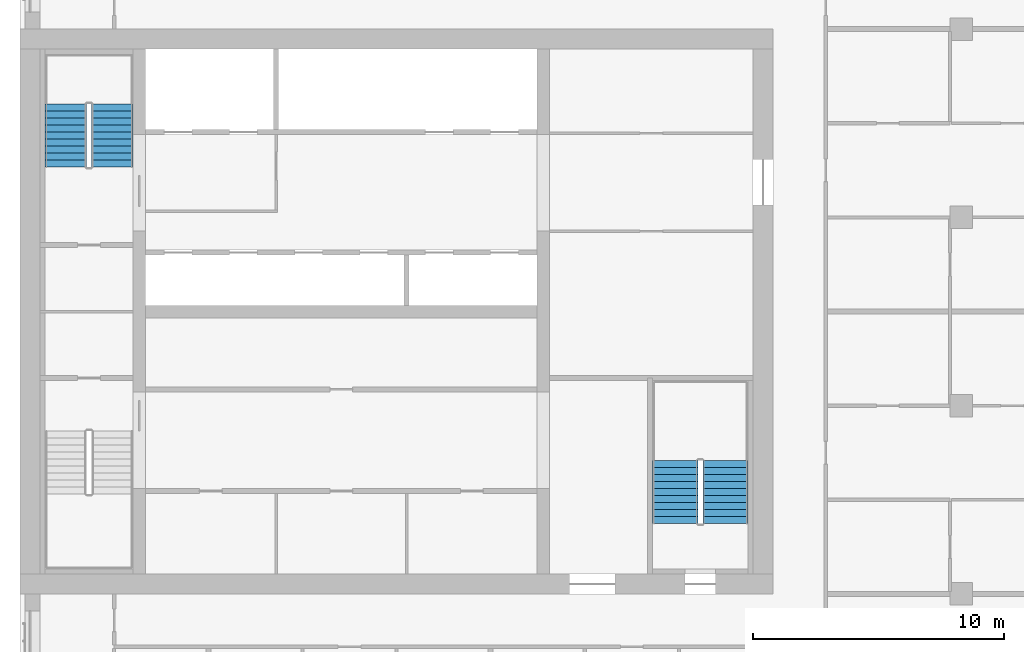
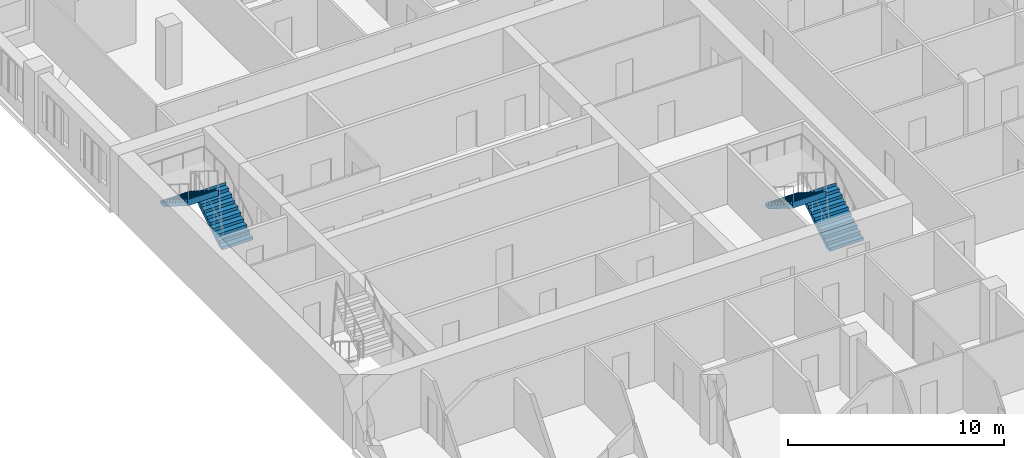
# One storey, part 13 of 14: 4 stair flights, 2 elements without a shape of their own.
"""IFC4 building model written with IfcOpenShell, lengths in metres."""

import ifcopenshell
import ifcopenshell.guid

model = None  # the IFC model being written
_history = None  # IfcOwnerHistory: only IFC2X3 demands one
_inside = {}  # id of a spatial element -> (the spatial element, [elements in it])
_under = {}  # id of a project, library or spatial element -> (it, [spatial elements below it])
_declared = {}  # id of a project -> (the project, [libraries it declares])
_typed = {}  # id of a type object -> (the type object, [elements of that type])
_made_of = {}  # id of a material, layer set ... -> (it, [elements and type objects made of it])


def new_model(schema):
    """Start an empty IFC model of exactly this schema.

    Asked for "IFC4X3", IfcOpenShell would pick the latest addendum, in which some entities
    have other attributes; the version numbers below select the first issue.
    IFC2X3 requires an IfcOwnerHistory on every rooted entity: one is made here for all.
    """
    global model, _history
    if schema == "IFC4X3":
        model = ifcopenshell.file(schema_version=(4, 3, 0, 0))
    else:
        model = ifcopenshell.file(schema=schema)
    _inside.clear()
    _under.clear()
    _declared.clear()
    _typed.clear()
    _made_of.clear()
    _history = None
    if model.schema == "IFC2X3":
        org = make("IfcOrganization", Name="unknown")
        user = make(
            "IfcPersonAndOrganization",
            ThePerson=make("IfcPerson", FamilyName="unknown"),
            TheOrganization=org,
        )
        app = make(
            "IfcApplication",
            ApplicationDeveloper=org,
            Version="unknown",
            ApplicationFullName="unknown",
            ApplicationIdentifier="unknown",
        )
        _history = make(
            "IfcOwnerHistory",
            OwningUser=user,
            OwningApplication=app,
            ChangeAction="ADDED",
            CreationDate=0,
        )
    return model


def make(cls, **values):
    """One entity of the class cls with the attributes given. An attribute that is None is left unset."""
    return model.create_entity(
        cls, **{name: value for name, value in values.items() if value is not None}
    )


def rooted(cls, **values):
    """An entity with a GlobalId (a new one), such as an element, a storey or a relation."""
    return make(cls, GlobalId=ifcopenshell.guid.new(), OwnerHistory=_history, **values)


def si_unit(unit_type, name, prefix=None):
    """IfcSIUnit, for example si_unit("LENGTHUNIT", "METRE", prefix="MILLI")."""
    return make("IfcSIUnit", UnitType=unit_type, Prefix=prefix, Name=name)


def assignment(units):
    """IfcUnitAssignment: the units of a project."""
    return None if units is None else make("IfcUnitAssignment", Units=units)


def point(xyz):
    """IfcCartesianPoint."""
    return None if xyz is None else make("IfcCartesianPoint", Coordinates=xyz)


def direction(xyz):
    """IfcDirection."""
    return None if xyz is None else make("IfcDirection", DirectionRatios=xyz)


def frame(location, z_axis=None, x_axis=None):
    """IfcAxis2Placement3D, a coordinate frame: its origin and axes. An axis left out is left unset."""
    return make(
        "IfcAxis2Placement3D",
        Location=point(location),
        Axis=direction(z_axis),
        RefDirection=direction(x_axis),
    )


def origin():
    """The frame at (0, 0, 0) with its axes left unset."""
    return frame((0.0, 0.0, 0.0))


def place(relative_to, where):
    """IfcLocalPlacement: puts the frame where relative to a parent placement (None: the world)."""
    return make(
        "IfcLocalPlacement", PlacementRelTo=relative_to, RelativePlacement=where
    )


def context(
    kind, dimensions, precision=None, world=None, true_north=None, identifier=None
):
    """IfcGeometricRepresentationContext, for example the 3D "Model" context."""
    return make(
        "IfcGeometricRepresentationContext",
        ContextIdentifier=identifier,
        ContextType=kind,
        CoordinateSpaceDimension=dimensions,
        Precision=precision,
        WorldCoordinateSystem=world,
        TrueNorth=true_north,
    )


def subcontext(parent, identifier, kind, view, scale=None):
    """IfcGeometricRepresentationSubContext, for example "Body" below "Model"."""
    return make(
        "IfcGeometricRepresentationSubContext",
        ContextIdentifier=identifier,
        ContextType=kind,
        ParentContext=parent,
        TargetScale=scale,
        TargetView=view,
    )


def project(units=None, contexts=None):
    """IfcProject with its units and contexts."""
    return rooted(
        "IfcProject",
        Name="project",
        RepresentationContexts=contexts,
        UnitsInContext=assignment(units),
    )


def spatial(cls, under=None, at=None, **own):
    """A site, building, storey or space (cls), placed at a placement, below another one or the project."""
    s = rooted(cls, ObjectPlacement=at, **own)
    if under is not None:
        _under.setdefault(under.id(), (under, []))[1].append(s)
    return s


def polyline(points):
    """IfcPolyline through the points."""
    return make("IfcPolyline", Points=[point(p) for p in points])


def outline(outer, holes=None, kind="AREA"):
    """IfcArbitraryClosedProfileDef: a profile drawn as a closed curve; with holes, ...WithVoids."""
    if holes is None:
        return make("IfcArbitraryClosedProfileDef", ProfileType=kind, OuterCurve=outer)
    return make(
        "IfcArbitraryProfileDefWithVoids",
        ProfileType=kind,
        OuterCurve=outer,
        InnerCurves=holes,
    )


def extrude(swept, where, along, depth):
    """IfcExtrudedAreaSolid: the profile swept, set in the frame where, extruded along a direction by depth."""
    return make(
        "IfcExtrudedAreaSolid",
        SweptArea=swept,
        Position=where,
        ExtrudedDirection=direction(along),
        Depth=depth,
    )


def shape(context_of_items, identifier, shape_type, items):
    """IfcShapeRepresentation: the items that make up one representation, for example the "Body"."""
    return make(
        "IfcShapeRepresentation",
        ContextOfItems=context_of_items,
        RepresentationIdentifier=identifier,
        RepresentationType=shape_type,
        Items=items,
    )


def material(Name=None, Category=None):
    """IfcMaterial."""
    return make("IfcMaterial", Name=Name, Category=Category)


def made_of(thing, what):
    """Note that an element or type object is made of a material, layer set ...; save() writes the relation."""
    if what is not None:
        _made_of.setdefault(what.id(), (what, []))[1].append(thing)
    return thing


def type_object(cls, material=None, **own):
    """A type object (cls), such as IfcWallType, which elements share."""
    return made_of(rooted(cls, **own), material)


def element(
    cls,
    number,
    at=None,
    inside=None,
    cuts=None,
    type_object=None,
    material=None,
    context=None,
    identifier="Body",
    shape_type=None,
    held_by="IfcProductDefinitionShape",
    body=None,
    shapes=None,
    **own,
):
    """One element of the class cls, such as IfcWall. Its Tag is "e" and its number.

    at: its placement. inside: the storey or other place that contains it. cuts: it is an
    opening in that element (IfcRelVoidsElement). A single representation is given by context,
    identifier, shape_type and body (its items); several are given by shapes. held_by: the class
    of the entity that holds the representations. save() writes the other relations.
    """
    e = rooted(cls, Tag="e%d" % number, ObjectPlacement=at, **own)
    if body is not None:
        shapes = [shape(context, identifier, shape_type, body)]
    if shapes is not None:
        e.Representation = make(held_by, Representations=shapes)
    if inside is not None:
        _inside.setdefault(inside.id(), (inside, []))[1].append(e)
    if cuts is not None:
        rooted(
            "IfcRelVoidsElement", RelatingBuildingElement=cuts, RelatedOpeningElement=e
        )
    if type_object is not None:
        _typed.setdefault(type_object.id(), (type_object, []))[1].append(e)
    return made_of(e, material)


def aggregate(whole, parts):
    """IfcRelAggregates: a whole, such as a stair, and the parts it consists of."""
    return rooted("IfcRelAggregates", RelatingObject=whole, RelatedObjects=parts)


def save(model, path):
    """Write the relations noted so far, then the file.

    IfcRelAggregates (storeys below a building ...), IfcRelContainedInSpatialStructure (elements
    in a storey), IfcRelDefinesByType, IfcRelAssociatesMaterial and IfcRelDeclares: one each for
    every whole, place, type object, material and project.
    """
    for whole, parts in _under.values():
        aggregate(whole, parts)
    for where, things in _inside.values():
        rooted(
            "IfcRelContainedInSpatialStructure",
            RelatedElements=things,
            RelatingStructure=where,
        )
    for kind, things in _typed.values():
        rooted("IfcRelDefinesByType", RelatedObjects=things, RelatingType=kind)
    for what, things in _made_of.values():
        rooted("IfcRelAssociatesMaterial", RelatedObjects=things, RelatingMaterial=what)
    for by, libraries in _declared.values():
        rooted("IfcRelDeclares", RelatingContext=by, RelatedDefinitions=libraries)
    model.write(path)


model = new_model("IFC4")

# Units and contexts
model_context = context("Model", 3, precision=1e-05, world=origin(), true_north=direction((0.0, 1.0)))
body_context = subcontext(model_context, "Body", "Model", "MODEL_VIEW")
ifc_project = project(units=[si_unit("LENGTHUNIT", "METRE"), si_unit("AREAUNIT", "SQUARE_METRE"), si_unit("VOLUMEUNIT", "CUBIC_METRE"), si_unit("PLANEANGLEUNIT", "RADIAN"), si_unit("MASSUNIT", "GRAM", prefix="KILO")], contexts=[model_context])

# Site, building, storey
site_placement = place(None, origin())
site = spatial("IfcSite", under=ifc_project, at=site_placement, CompositionType="ELEMENT")
building_placement = place(site_placement, origin())
building = spatial("IfcBuilding", under=site, at=building_placement, Name="Tamorin Gate", CompositionType="ELEMENT")
storey_placement = place(building_placement, frame((0.0, 0.0, 207.199951171875)))
storey = spatial("IfcBuildingStorey", under=building, at=storey_placement, Name="L51", CompositionType="ELEMENT", Elevation=207.199951171875)

# Stair, stair flights
ifc_material = material(Name="Concrete C40/50", Category="concrete")
stair_type = type_object("IfcStairType", Name="Exit stair", PredefinedType="HALF_TURN_STAIR", material=ifc_material)
stair_1_placement = place(storey_placement, origin())
stair_1 = element("IfcStair", 1, at=stair_1_placement, inside=storey, type_object=stair_type, Name="L51 stair ST2", PredefinedType="HALF_TURN_STAIR")
stair_flight_type = type_object("IfcStairFlightType", Name="Exit stair flight", PredefinedType="STRAIGHT", material=ifc_material)
stair_flight_1_placement = place(storey_placement, frame((33.675048828125, 77.0, 0.0), z_axis=(0.0, 0.0, 1.0), x_axis=(0.0, 1.0, 0.0)))
stair_flight_1 = element("IfcStairFlight", 2, at=stair_flight_1_placement, type_object=stair_flight_type, Name="ST2 flight 1", NumberOfRisers=10, NumberOfTreads=9, PredefinedType="STRAIGHT", RiserHeight=0.175, TreadLength=0.28, context=body_context, shape_type="SweptSolid", body=[
    extrude(outline(polyline([(-0.00048828125, 0.0), (-0.00048828125, 0.001708984375), (-0.00048828125, 0.00341796875), (-0.00048828125, 0.005126953125), (-0.00048828125, 0.0068359375), (-0.00048828125, 0.008544921875), (-0.00048828125, 0.010498046875), (-0.00048828125, 0.01220703125), (-0.00048828125, 0.013916015625), (-0.00048828125, 0.015625), (-0.00048828125, 0.017333984375), (-0.00048828125, 0.01904296875), (-0.00048828125, 0.020751953125), (-0.00048828125, 0.0224609375), (-0.00048828125, 0.024169921875), (-0.00048828125, 0.02587890625), (-0.00048828125, 0.02783203125), (-0.00048828125, 0.029541015625), (-0.00048828125, 0.03125), (-0.00048828125, 0.032958984375), (-0.00048828125, 0.03466796875), (-0.00048828125, 0.036376953125), (-0.00048828125, 0.0380859375), (-0.00048828125, 0.039794921875), (-0.00048828125, 0.04150390625), (-0.00048828125, 0.043212890625), (-0.00048828125, 0.045166015625), (-0.00048828125, 0.046875), (-0.00048828125, 0.048583984375), (-0.00048828125, 0.05029296875), (-0.00048828125, 0.052001953125), (-0.00048828125, 0.0537109375), (-0.00048828125, 0.055419921875), (-0.00048828125, 0.05712890625), (-0.00048828125, 0.058837890625), (-0.00048828125, 0.060546875), (-0.00048828125, 0.062255859375), (-0.00048828125, 0.064208984375), (-0.00048828125, 0.06591796875), (-0.00048828125, 0.067626953125), (-0.00048828125, 0.0693359375), (-0.00048828125, 0.071044921875), (-0.00048828125, 0.07275390625), (-0.00048828125, 0.074462890625), (-0.00048828125, 0.076171875), (-0.00048828125, 0.077880859375), (-0.00048828125, 0.07958984375), (-0.00048828125, 0.08154296875), (-0.00048828125, 0.083251953125), (-0.00048828125, 0.0849609375), (-0.00048828125, 0.086669921875), (-0.00048828125, 0.08837890625), (-0.00048828125, 0.090087890625), (-0.00048828125, 0.091796875), (-0.00048828125, 0.093505859375), (-0.00048828125, 0.09521484375), (-0.00048828125, 0.096923828125), (-0.00048828125, 0.098876953125), (-0.00048828125, 0.1005859375), (-0.00048828125, 0.102294921875), (-0.00048828125, 0.10400390625), (-0.00048828125, 0.105712890625), (-0.00048828125, 0.107421875), (-0.00048828125, 0.109130859375), (-0.00048828125, 0.11083984375), (-0.00048828125, 0.112548828125), (-0.00048828125, 0.1142578125), (-0.00048828125, 0.1162109375), (-0.00048828125, 0.117919921875), (-0.00048828125, 0.11962890625), (-0.00048828125, 0.121337890625), (-0.00048828125, 0.123046875), (-0.00048828125, 0.124755859375), (-0.00048828125, 0.12646484375), (-0.00048828125, 0.128173828125), (-0.00048828125, 0.1298828125), (-0.00048828125, 0.131591796875), (-0.00048828125, 0.13330078125), (-0.00048828125, 0.13525390625), (-0.00048828125, 0.136962890625), (-0.00048828125, 0.138671875), (-0.00048828125, 0.140380859375), (-0.00048828125, 0.14208984375), (-0.00048828125, 0.143798828125), (-0.00048828125, 0.1455078125), (-0.00048828125, 0.147216796875), (-0.00048828125, 0.14892578125), (-0.00048828125, 0.150634765625), (-0.00048828125, 0.152587890625), (-0.00048828125, 0.154296875), (-0.00048828125, 0.156005859375), (-0.00048828125, 0.15771484375), (-0.00048828125, 0.159423828125), (-0.00048828125, 0.1611328125), (-0.00048828125, 0.162841796875), (-0.00048828125, 0.16455078125), (-0.00048828125, 0.166259765625), (-0.00048828125, 0.16796875), (-0.00048828125, 0.169921875), (-0.00048828125, 0.171630859375), (-0.00048828125, 0.17333984375), (-0.00048828125, 0.175048828125), (0.280029296875, 0.175048828125), (0.280029296875, 0.35009765625), (0.56005859375, 0.35009765625), (0.56005859375, 0.52490234375), (0.840087890625, 0.52490234375), (0.840087890625, 0.699951171875), (1.1201171875, 0.699951171875), (1.1201171875, 0.875), (1.39990234375, 0.875), (1.39990234375, 1.050048828125), (1.679931640625, 1.050048828125), (1.679931640625, 1.22509765625), (1.9599609375, 1.22509765625), (1.9599609375, 1.39990234375), (2.239990234375, 1.39990234375), (2.239990234375, 1.574951171875), (2.52001953125, 1.574951171875), (2.52001953125, 1.75), (2.5205078125, 1.75), (2.5205078125, 1.74658203125), (2.5205078125, 1.742919921875), (2.5205078125, 1.739501953125), (2.5205078125, 1.736083984375), (2.5205078125, 1.732666015625), (2.5205078125, 1.72900390625), (2.5205078125, 1.7255859375), (2.5205078125, 1.72216796875), (2.5205078125, 1.71875), (2.5205078125, 1.715087890625), (2.5205078125, 1.711669921875), (2.5205078125, 1.708251953125), (2.5205078125, 1.704833984375), (2.5205078125, 1.701171875), (2.5205078125, 1.69775390625), (2.5205078125, 1.6943359375), (2.5205078125, 1.690673828125), (2.5205078125, 1.687255859375), (2.5205078125, 1.683837890625), (2.5205078125, 1.680419921875), (2.5205078125, 1.6767578125), (2.5205078125, 1.67333984375), (2.5205078125, 1.669921875), (2.5205078125, 1.66650390625), (2.5205078125, 1.662841796875), (2.5205078125, 1.659423828125), (2.5205078125, 1.656005859375), (2.5205078125, 1.652587890625), (2.5205078125, 1.64892578125), (2.5205078125, 1.6455078125), (2.5205078125, 1.64208984375), (2.5205078125, 1.638427734375), (2.5205078125, 1.635009765625), (2.5205078125, 1.631591796875), (2.5205078125, 1.628173828125), (2.5205078125, 1.62451171875), (2.5205078125, 1.62109375), (2.5205078125, 1.61767578125), (2.5205078125, 1.6142578125), (2.5205078125, 1.610595703125), (2.5205078125, 1.607177734375), (2.5205078125, 1.603759765625), (2.5205078125, 1.600341796875), (2.5205078125, 1.5966796875), (2.5205078125, 1.59326171875), (2.5205078125, 1.58984375), (2.5205078125, 1.58642578125), (2.5205078125, 1.582763671875), (2.5205078125, 1.579345703125), (2.5205078125, 1.575927734375), (2.5205078125, 1.572265625), (2.5205078125, 1.56884765625), (2.5205078125, 1.5654296875), (2.5205078125, 1.56201171875), (2.5205078125, 1.558349609375), (2.5205078125, 1.554931640625), (2.5205078125, 1.551513671875), (2.5205078125, 1.548095703125), (2.5205078125, 1.54443359375), (2.5205078125, 1.541015625), (2.5205078125, 1.53759765625), (2.5205078125, 1.5341796875), (2.5205078125, 1.530517578125), (2.5205078125, 1.527099609375), (2.5205078125, 1.523681640625), (2.5205078125, 1.52001953125), (2.5205078125, 1.5166015625), (2.5205078125, 1.51318359375), (2.5205078125, 1.509765625), (2.5205078125, 1.506103515625), (2.5205078125, 1.502685546875), (2.5205078125, 1.499267578125), (2.5205078125, 1.495849609375), (2.5205078125, 1.4921875), (2.5205078125, 1.48876953125), (2.5205078125, 1.4853515625), (2.5205078125, 1.48193359375), (2.5205078125, 1.478271484375), (2.5205078125, 1.474853515625), (2.5205078125, 1.471435546875), (2.5205078125, 1.4677734375), (2.5205078125, 1.46435546875), (2.5205078125, 1.4609375), (2.5205078125, 1.45751953125), (2.5205078125, 1.453857421875), (2.5205078125, 1.450439453125), (2.5205078125, 1.447021484375), (2.5205078125, 1.443603515625), (2.5205078125, 1.43994140625), (2.5205078125, 1.4365234375), (2.5205078125, 1.43310546875), (2.5205078125, 1.4296875), (2.5205078125, 1.426025390625), (2.5205078125, 1.422607421875), (2.5205078125, 1.419189453125), (2.5205078125, 1.41552734375), (2.5205078125, 1.412109375), (2.5205078125, 1.40869140625), (2.5205078125, 1.4052734375), (2.5205078125, 1.401611328125), (2.5205078125, 1.398193359375), (2.52001953125, 1.398193359375), (0.28271484375, 0.0), (-0.00048828125, 0.0)])), frame((0.0, 0.824951171875, 0.0), z_axis=(0.0, -1.0, 0.0), x_axis=(1.0, 0.0, 0.0)), (0.0, 0.0, 1.0), 1.64990234375),
])
stair_flight_2_placement = place(storey_placement, frame((31.824951171875, 79.52001953125, 1.75), z_axis=(0.0, 0.0, 1.0), x_axis=(0.0, -1.0, 0.0)))
stair_flight_2 = element("IfcStairFlight", 3, at=stair_flight_2_placement, type_object=stair_flight_type, Name="ST2 flight 2", NumberOfRisers=10, NumberOfTreads=9, PredefinedType="STRAIGHT", RiserHeight=0.175, TreadLength=0.28, context=body_context, shape_type="SweptSolid", body=[
    extrude(outline(polyline([(-0.00048828125, 0.0), (-0.00048828125, 0.001708984375), (-0.00048828125, 0.00341796875), (-0.00048828125, 0.005126953125), (-0.00048828125, 0.0068359375), (-0.00048828125, 0.008544921875), (-0.00048828125, 0.010498046875), (-0.00048828125, 0.01220703125), (-0.00048828125, 0.013916015625), (-0.00048828125, 0.015625), (-0.00048828125, 0.017333984375), (-0.00048828125, 0.01904296875), (-0.00048828125, 0.020751953125), (-0.00048828125, 0.0224609375), (-0.00048828125, 0.024169921875), (-0.00048828125, 0.02587890625), (-0.00048828125, 0.02783203125), (-0.00048828125, 0.029541015625), (-0.00048828125, 0.03125), (-0.00048828125, 0.032958984375), (-0.00048828125, 0.03466796875), (-0.00048828125, 0.036376953125), (-0.00048828125, 0.0380859375), (-0.00048828125, 0.039794921875), (-0.00048828125, 0.04150390625), (-0.00048828125, 0.043212890625), (-0.00048828125, 0.045166015625), (-0.00048828125, 0.046875), (-0.00048828125, 0.048583984375), (-0.00048828125, 0.05029296875), (-0.00048828125, 0.052001953125), (-0.00048828125, 0.0537109375), (-0.00048828125, 0.055419921875), (-0.00048828125, 0.05712890625), (-0.00048828125, 0.058837890625), (-0.00048828125, 0.060546875), (-0.00048828125, 0.062255859375), (-0.00048828125, 0.064208984375), (-0.00048828125, 0.06591796875), (-0.00048828125, 0.067626953125), (-0.00048828125, 0.0693359375), (-0.00048828125, 0.071044921875), (-0.00048828125, 0.07275390625), (-0.00048828125, 0.074462890625), (-0.00048828125, 0.076171875), (-0.00048828125, 0.077880859375), (-0.00048828125, 0.07958984375), (-0.00048828125, 0.08154296875), (-0.00048828125, 0.083251953125), (-0.00048828125, 0.0849609375), (-0.00048828125, 0.086669921875), (-0.00048828125, 0.08837890625), (-0.00048828125, 0.090087890625), (-0.00048828125, 0.091796875), (-0.00048828125, 0.093505859375), (-0.00048828125, 0.09521484375), (-0.00048828125, 0.096923828125), (-0.00048828125, 0.098876953125), (-0.00048828125, 0.1005859375), (-0.00048828125, 0.102294921875), (-0.00048828125, 0.10400390625), (-0.00048828125, 0.105712890625), (-0.00048828125, 0.107421875), (-0.00048828125, 0.109130859375), (-0.00048828125, 0.11083984375), (-0.00048828125, 0.112548828125), (-0.00048828125, 0.1142578125), (-0.00048828125, 0.1162109375), (-0.00048828125, 0.117919921875), (-0.00048828125, 0.11962890625), (-0.00048828125, 0.121337890625), (-0.00048828125, 0.123046875), (-0.00048828125, 0.124755859375), (-0.00048828125, 0.12646484375), (-0.00048828125, 0.128173828125), (-0.00048828125, 0.1298828125), (-0.00048828125, 0.131591796875), (-0.00048828125, 0.13330078125), (-0.00048828125, 0.13525390625), (-0.00048828125, 0.136962890625), (-0.00048828125, 0.138671875), (-0.00048828125, 0.140380859375), (-0.00048828125, 0.14208984375), (-0.00048828125, 0.143798828125), (-0.00048828125, 0.1455078125), (-0.00048828125, 0.147216796875), (-0.00048828125, 0.14892578125), (-0.00048828125, 0.150634765625), (-0.00048828125, 0.152587890625), (-0.00048828125, 0.154296875), (-0.00048828125, 0.156005859375), (-0.00048828125, 0.15771484375), (-0.00048828125, 0.159423828125), (-0.00048828125, 0.1611328125), (-0.00048828125, 0.162841796875), (-0.00048828125, 0.16455078125), (-0.00048828125, 0.166259765625), (-0.00048828125, 0.16796875), (-0.00048828125, 0.169921875), (-0.00048828125, 0.171630859375), (-0.00048828125, 0.17333984375), (-0.00048828125, 0.175048828125), (0.280029296875, 0.175048828125), (0.280029296875, 0.35009765625), (0.56005859375, 0.35009765625), (0.56005859375, 0.52490234375), (0.840087890625, 0.52490234375), (0.840087890625, 0.699951171875), (1.1201171875, 0.699951171875), (1.1201171875, 0.875), (1.39990234375, 0.875), (1.39990234375, 1.050048828125), (1.679931640625, 1.050048828125), (1.679931640625, 1.22509765625), (1.9599609375, 1.22509765625), (1.9599609375, 1.39990234375), (2.239990234375, 1.39990234375), (2.239990234375, 1.574951171875), (2.52001953125, 1.574951171875), (2.52001953125, 1.75), (2.5205078125, 1.75), (2.5205078125, 1.74658203125), (2.5205078125, 1.742919921875), (2.5205078125, 1.739501953125), (2.5205078125, 1.736083984375), (2.5205078125, 1.732666015625), (2.5205078125, 1.72900390625), (2.5205078125, 1.7255859375), (2.5205078125, 1.72216796875), (2.5205078125, 1.71875), (2.5205078125, 1.715087890625), (2.5205078125, 1.711669921875), (2.5205078125, 1.708251953125), (2.5205078125, 1.704833984375), (2.5205078125, 1.701171875), (2.5205078125, 1.69775390625), (2.5205078125, 1.6943359375), (2.5205078125, 1.690673828125), (2.5205078125, 1.687255859375), (2.5205078125, 1.683837890625), (2.5205078125, 1.680419921875), (2.5205078125, 1.6767578125), (2.5205078125, 1.67333984375), (2.5205078125, 1.669921875), (2.5205078125, 1.66650390625), (2.5205078125, 1.662841796875), (2.5205078125, 1.659423828125), (2.5205078125, 1.656005859375), (2.5205078125, 1.652587890625), (2.5205078125, 1.64892578125), (2.5205078125, 1.6455078125), (2.5205078125, 1.64208984375), (2.5205078125, 1.638427734375), (2.5205078125, 1.635009765625), (2.5205078125, 1.631591796875), (2.5205078125, 1.628173828125), (2.5205078125, 1.62451171875), (2.5205078125, 1.62109375), (2.5205078125, 1.61767578125), (2.5205078125, 1.6142578125), (2.5205078125, 1.610595703125), (2.5205078125, 1.607177734375), (2.5205078125, 1.603759765625), (2.5205078125, 1.600341796875), (2.5205078125, 1.5966796875), (2.5205078125, 1.59326171875), (2.5205078125, 1.58984375), (2.5205078125, 1.58642578125), (2.5205078125, 1.582763671875), (2.5205078125, 1.579345703125), (2.5205078125, 1.575927734375), (2.5205078125, 1.572265625), (2.5205078125, 1.56884765625), (2.5205078125, 1.5654296875), (2.5205078125, 1.56201171875), (2.5205078125, 1.558349609375), (2.5205078125, 1.554931640625), (2.5205078125, 1.551513671875), (2.5205078125, 1.548095703125), (2.5205078125, 1.54443359375), (2.5205078125, 1.541015625), (2.5205078125, 1.53759765625), (2.5205078125, 1.5341796875), (2.5205078125, 1.530517578125), (2.5205078125, 1.527099609375), (2.5205078125, 1.523681640625), (2.5205078125, 1.52001953125), (2.5205078125, 1.5166015625), (2.5205078125, 1.51318359375), (2.5205078125, 1.509765625), (2.5205078125, 1.506103515625), (2.5205078125, 1.502685546875), (2.5205078125, 1.499267578125), (2.5205078125, 1.495849609375), (2.5205078125, 1.4921875), (2.5205078125, 1.48876953125), (2.5205078125, 1.4853515625), (2.5205078125, 1.48193359375), (2.5205078125, 1.478271484375), (2.5205078125, 1.474853515625), (2.5205078125, 1.471435546875), (2.5205078125, 1.4677734375), (2.5205078125, 1.46435546875), (2.5205078125, 1.4609375), (2.5205078125, 1.45751953125), (2.5205078125, 1.453857421875), (2.5205078125, 1.450439453125), (2.5205078125, 1.447021484375), (2.5205078125, 1.443603515625), (2.5205078125, 1.43994140625), (2.5205078125, 1.4365234375), (2.5205078125, 1.43310546875), (2.5205078125, 1.4296875), (2.5205078125, 1.426025390625), (2.5205078125, 1.422607421875), (2.5205078125, 1.419189453125), (2.5205078125, 1.41552734375), (2.5205078125, 1.412109375), (2.5205078125, 1.40869140625), (2.5205078125, 1.4052734375), (2.5205078125, 1.401611328125), (2.5205078125, 1.398193359375), (2.52001953125, 1.398193359375), (0.28271484375, 0.0), (-0.00048828125, 0.0)])), frame((0.0, 0.824951171875, 0.0), z_axis=(0.0, -1.0, 0.0), x_axis=(1.0, 0.0, 0.0)), (0.0, 0.0, 1.0), 1.64990234375),
])
aggregate(stair_1, [stair_flight_1, stair_flight_2])

stair_2_placement = place(storey_placement, origin())
stair_2 = element("IfcStair", 4, at=stair_2_placement, inside=storey, type_object=stair_type, Name="L51 stair ST3", PredefinedType="HALF_TURN_STAIR")
stair_flight_3_placement = place(storey_placement, frame((58.10009765625, 62.800048828125, 0.0), z_axis=(0.0, 0.0, 1.0), x_axis=(0.0, 1.0, 0.0)))
stair_flight_3 = element("IfcStairFlight", 5, at=stair_flight_3_placement, type_object=stair_flight_type, Name="ST3 flight 1", NumberOfRisers=10, NumberOfTreads=9, PredefinedType="STRAIGHT", RiserHeight=0.175, TreadLength=0.28, context=body_context, shape_type="SweptSolid", body=[
    extrude(outline(polyline([(-0.00048828125, 0.0), (-0.00048828125, 0.001708984375), (-0.00048828125, 0.00341796875), (-0.00048828125, 0.005126953125), (-0.00048828125, 0.0068359375), (-0.00048828125, 0.008544921875), (-0.00048828125, 0.010498046875), (-0.00048828125, 0.01220703125), (-0.00048828125, 0.013916015625), (-0.00048828125, 0.015625), (-0.00048828125, 0.017333984375), (-0.00048828125, 0.01904296875), (-0.00048828125, 0.020751953125), (-0.00048828125, 0.0224609375), (-0.00048828125, 0.024169921875), (-0.00048828125, 0.02587890625), (-0.00048828125, 0.02783203125), (-0.00048828125, 0.029541015625), (-0.00048828125, 0.03125), (-0.00048828125, 0.032958984375), (-0.00048828125, 0.03466796875), (-0.00048828125, 0.036376953125), (-0.00048828125, 0.0380859375), (-0.00048828125, 0.039794921875), (-0.00048828125, 0.04150390625), (-0.00048828125, 0.043212890625), (-0.00048828125, 0.045166015625), (-0.00048828125, 0.046875), (-0.00048828125, 0.048583984375), (-0.00048828125, 0.05029296875), (-0.00048828125, 0.052001953125), (-0.00048828125, 0.0537109375), (-0.00048828125, 0.055419921875), (-0.00048828125, 0.05712890625), (-0.00048828125, 0.058837890625), (-0.00048828125, 0.060546875), (-0.00048828125, 0.062255859375), (-0.00048828125, 0.064208984375), (-0.00048828125, 0.06591796875), (-0.00048828125, 0.067626953125), (-0.00048828125, 0.0693359375), (-0.00048828125, 0.071044921875), (-0.00048828125, 0.07275390625), (-0.00048828125, 0.074462890625), (-0.00048828125, 0.076171875), (-0.00048828125, 0.077880859375), (-0.00048828125, 0.07958984375), (-0.00048828125, 0.08154296875), (-0.00048828125, 0.083251953125), (-0.00048828125, 0.0849609375), (-0.00048828125, 0.086669921875), (-0.00048828125, 0.08837890625), (-0.00048828125, 0.090087890625), (-0.00048828125, 0.091796875), (-0.00048828125, 0.093505859375), (-0.00048828125, 0.09521484375), (-0.00048828125, 0.096923828125), (-0.00048828125, 0.098876953125), (-0.00048828125, 0.1005859375), (-0.00048828125, 0.102294921875), (-0.00048828125, 0.10400390625), (-0.00048828125, 0.105712890625), (-0.00048828125, 0.107421875), (-0.00048828125, 0.109130859375), (-0.00048828125, 0.11083984375), (-0.00048828125, 0.112548828125), (-0.00048828125, 0.1142578125), (-0.00048828125, 0.1162109375), (-0.00048828125, 0.117919921875), (-0.00048828125, 0.11962890625), (-0.00048828125, 0.121337890625), (-0.00048828125, 0.123046875), (-0.00048828125, 0.124755859375), (-0.00048828125, 0.12646484375), (-0.00048828125, 0.128173828125), (-0.00048828125, 0.1298828125), (-0.00048828125, 0.131591796875), (-0.00048828125, 0.13330078125), (-0.00048828125, 0.13525390625), (-0.00048828125, 0.136962890625), (-0.00048828125, 0.138671875), (-0.00048828125, 0.140380859375), (-0.00048828125, 0.14208984375), (-0.00048828125, 0.143798828125), (-0.00048828125, 0.1455078125), (-0.00048828125, 0.147216796875), (-0.00048828125, 0.14892578125), (-0.00048828125, 0.150634765625), (-0.00048828125, 0.152587890625), (-0.00048828125, 0.154296875), (-0.00048828125, 0.156005859375), (-0.00048828125, 0.15771484375), (-0.00048828125, 0.159423828125), (-0.00048828125, 0.1611328125), (-0.00048828125, 0.162841796875), (-0.00048828125, 0.16455078125), (-0.00048828125, 0.166259765625), (-0.00048828125, 0.16796875), (-0.00048828125, 0.169921875), (-0.00048828125, 0.171630859375), (-0.00048828125, 0.17333984375), (-0.00048828125, 0.175048828125), (0.280029296875, 0.175048828125), (0.280029296875, 0.35009765625), (0.56005859375, 0.35009765625), (0.56005859375, 0.52490234375), (0.840087890625, 0.52490234375), (0.840087890625, 0.699951171875), (1.1201171875, 0.699951171875), (1.1201171875, 0.875), (1.39990234375, 0.875), (1.39990234375, 1.050048828125), (1.679931640625, 1.050048828125), (1.679931640625, 1.22509765625), (1.9599609375, 1.22509765625), (1.9599609375, 1.39990234375), (2.239990234375, 1.39990234375), (2.239990234375, 1.574951171875), (2.52001953125, 1.574951171875), (2.52001953125, 1.75), (2.5205078125, 1.75), (2.5205078125, 1.74658203125), (2.5205078125, 1.742919921875), (2.5205078125, 1.739501953125), (2.5205078125, 1.736083984375), (2.5205078125, 1.732666015625), (2.5205078125, 1.72900390625), (2.5205078125, 1.7255859375), (2.5205078125, 1.72216796875), (2.5205078125, 1.71875), (2.5205078125, 1.715087890625), (2.5205078125, 1.711669921875), (2.5205078125, 1.708251953125), (2.5205078125, 1.704833984375), (2.5205078125, 1.701171875), (2.5205078125, 1.69775390625), (2.5205078125, 1.6943359375), (2.5205078125, 1.690673828125), (2.5205078125, 1.687255859375), (2.5205078125, 1.683837890625), (2.5205078125, 1.680419921875), (2.5205078125, 1.6767578125), (2.5205078125, 1.67333984375), (2.5205078125, 1.669921875), (2.5205078125, 1.66650390625), (2.5205078125, 1.662841796875), (2.5205078125, 1.659423828125), (2.5205078125, 1.656005859375), (2.5205078125, 1.652587890625), (2.5205078125, 1.64892578125), (2.5205078125, 1.6455078125), (2.5205078125, 1.64208984375), (2.5205078125, 1.638427734375), (2.5205078125, 1.635009765625), (2.5205078125, 1.631591796875), (2.5205078125, 1.628173828125), (2.5205078125, 1.62451171875), (2.5205078125, 1.62109375), (2.5205078125, 1.61767578125), (2.5205078125, 1.6142578125), (2.5205078125, 1.610595703125), (2.5205078125, 1.607177734375), (2.5205078125, 1.603759765625), (2.5205078125, 1.600341796875), (2.5205078125, 1.5966796875), (2.5205078125, 1.59326171875), (2.5205078125, 1.58984375), (2.5205078125, 1.58642578125), (2.5205078125, 1.582763671875), (2.5205078125, 1.579345703125), (2.5205078125, 1.575927734375), (2.5205078125, 1.572265625), (2.5205078125, 1.56884765625), (2.5205078125, 1.5654296875), (2.5205078125, 1.56201171875), (2.5205078125, 1.558349609375), (2.5205078125, 1.554931640625), (2.5205078125, 1.551513671875), (2.5205078125, 1.548095703125), (2.5205078125, 1.54443359375), (2.5205078125, 1.541015625), (2.5205078125, 1.53759765625), (2.5205078125, 1.5341796875), (2.5205078125, 1.530517578125), (2.5205078125, 1.527099609375), (2.5205078125, 1.523681640625), (2.5205078125, 1.52001953125), (2.5205078125, 1.5166015625), (2.5205078125, 1.51318359375), (2.5205078125, 1.509765625), (2.5205078125, 1.506103515625), (2.5205078125, 1.502685546875), (2.5205078125, 1.499267578125), (2.5205078125, 1.495849609375), (2.5205078125, 1.4921875), (2.5205078125, 1.48876953125), (2.5205078125, 1.4853515625), (2.5205078125, 1.48193359375), (2.5205078125, 1.478271484375), (2.5205078125, 1.474853515625), (2.5205078125, 1.471435546875), (2.5205078125, 1.4677734375), (2.5205078125, 1.46435546875), (2.5205078125, 1.4609375), (2.5205078125, 1.45751953125), (2.5205078125, 1.453857421875), (2.5205078125, 1.450439453125), (2.5205078125, 1.447021484375), (2.5205078125, 1.443603515625), (2.5205078125, 1.43994140625), (2.5205078125, 1.4365234375), (2.5205078125, 1.43310546875), (2.5205078125, 1.4296875), (2.5205078125, 1.426025390625), (2.5205078125, 1.422607421875), (2.5205078125, 1.419189453125), (2.5205078125, 1.41552734375), (2.5205078125, 1.412109375), (2.5205078125, 1.40869140625), (2.5205078125, 1.4052734375), (2.5205078125, 1.401611328125), (2.5205078125, 1.398193359375), (2.52001953125, 1.398193359375), (0.28271484375, 0.0), (-0.00048828125, 0.0)])), frame((0.0, 0.89990234375, 0.0), z_axis=(0.0, -1.0, 0.0), x_axis=(1.0, 0.0, 0.0)), (0.0, 0.0, 1.0), 1.800048828125),
])
stair_flight_4_placement = place(storey_placement, frame((56.10009765625, 65.320068359375, 1.75), z_axis=(0.0, 0.0, 1.0), x_axis=(0.0, -1.0, 0.0)))
stair_flight_4 = element("IfcStairFlight", 6, at=stair_flight_4_placement, type_object=stair_flight_type, Name="ST3 flight 2", NumberOfRisers=10, NumberOfTreads=9, PredefinedType="STRAIGHT", RiserHeight=0.175, TreadLength=0.28, context=body_context, shape_type="SweptSolid", body=[
    extrude(outline(polyline([(-0.00048828125, 0.0), (-0.00048828125, 0.001708984375), (-0.00048828125, 0.00341796875), (-0.00048828125, 0.005126953125), (-0.00048828125, 0.0068359375), (-0.00048828125, 0.008544921875), (-0.00048828125, 0.010498046875), (-0.00048828125, 0.01220703125), (-0.00048828125, 0.013916015625), (-0.00048828125, 0.015625), (-0.00048828125, 0.017333984375), (-0.00048828125, 0.01904296875), (-0.00048828125, 0.020751953125), (-0.00048828125, 0.0224609375), (-0.00048828125, 0.024169921875), (-0.00048828125, 0.02587890625), (-0.00048828125, 0.02783203125), (-0.00048828125, 0.029541015625), (-0.00048828125, 0.03125), (-0.00048828125, 0.032958984375), (-0.00048828125, 0.03466796875), (-0.00048828125, 0.036376953125), (-0.00048828125, 0.0380859375), (-0.00048828125, 0.039794921875), (-0.00048828125, 0.04150390625), (-0.00048828125, 0.043212890625), (-0.00048828125, 0.045166015625), (-0.00048828125, 0.046875), (-0.00048828125, 0.048583984375), (-0.00048828125, 0.05029296875), (-0.00048828125, 0.052001953125), (-0.00048828125, 0.0537109375), (-0.00048828125, 0.055419921875), (-0.00048828125, 0.05712890625), (-0.00048828125, 0.058837890625), (-0.00048828125, 0.060546875), (-0.00048828125, 0.062255859375), (-0.00048828125, 0.064208984375), (-0.00048828125, 0.06591796875), (-0.00048828125, 0.067626953125), (-0.00048828125, 0.0693359375), (-0.00048828125, 0.071044921875), (-0.00048828125, 0.07275390625), (-0.00048828125, 0.074462890625), (-0.00048828125, 0.076171875), (-0.00048828125, 0.077880859375), (-0.00048828125, 0.07958984375), (-0.00048828125, 0.08154296875), (-0.00048828125, 0.083251953125), (-0.00048828125, 0.0849609375), (-0.00048828125, 0.086669921875), (-0.00048828125, 0.08837890625), (-0.00048828125, 0.090087890625), (-0.00048828125, 0.091796875), (-0.00048828125, 0.093505859375), (-0.00048828125, 0.09521484375), (-0.00048828125, 0.096923828125), (-0.00048828125, 0.098876953125), (-0.00048828125, 0.1005859375), (-0.00048828125, 0.102294921875), (-0.00048828125, 0.10400390625), (-0.00048828125, 0.105712890625), (-0.00048828125, 0.107421875), (-0.00048828125, 0.109130859375), (-0.00048828125, 0.11083984375), (-0.00048828125, 0.112548828125), (-0.00048828125, 0.1142578125), (-0.00048828125, 0.1162109375), (-0.00048828125, 0.117919921875), (-0.00048828125, 0.11962890625), (-0.00048828125, 0.121337890625), (-0.00048828125, 0.123046875), (-0.00048828125, 0.124755859375), (-0.00048828125, 0.12646484375), (-0.00048828125, 0.128173828125), (-0.00048828125, 0.1298828125), (-0.00048828125, 0.131591796875), (-0.00048828125, 0.13330078125), (-0.00048828125, 0.13525390625), (-0.00048828125, 0.136962890625), (-0.00048828125, 0.138671875), (-0.00048828125, 0.140380859375), (-0.00048828125, 0.14208984375), (-0.00048828125, 0.143798828125), (-0.00048828125, 0.1455078125), (-0.00048828125, 0.147216796875), (-0.00048828125, 0.14892578125), (-0.00048828125, 0.150634765625), (-0.00048828125, 0.152587890625), (-0.00048828125, 0.154296875), (-0.00048828125, 0.156005859375), (-0.00048828125, 0.15771484375), (-0.00048828125, 0.159423828125), (-0.00048828125, 0.1611328125), (-0.00048828125, 0.162841796875), (-0.00048828125, 0.16455078125), (-0.00048828125, 0.166259765625), (-0.00048828125, 0.16796875), (-0.00048828125, 0.169921875), (-0.00048828125, 0.171630859375), (-0.00048828125, 0.17333984375), (-0.00048828125, 0.175048828125), (0.280029296875, 0.175048828125), (0.280029296875, 0.35009765625), (0.56005859375, 0.35009765625), (0.56005859375, 0.52490234375), (0.840087890625, 0.52490234375), (0.840087890625, 0.699951171875), (1.1201171875, 0.699951171875), (1.1201171875, 0.875), (1.39990234375, 0.875), (1.39990234375, 1.050048828125), (1.679931640625, 1.050048828125), (1.679931640625, 1.22509765625), (1.9599609375, 1.22509765625), (1.9599609375, 1.39990234375), (2.239990234375, 1.39990234375), (2.239990234375, 1.574951171875), (2.52001953125, 1.574951171875), (2.52001953125, 1.75), (2.5205078125, 1.75), (2.5205078125, 1.74658203125), (2.5205078125, 1.742919921875), (2.5205078125, 1.739501953125), (2.5205078125, 1.736083984375), (2.5205078125, 1.732666015625), (2.5205078125, 1.72900390625), (2.5205078125, 1.7255859375), (2.5205078125, 1.72216796875), (2.5205078125, 1.71875), (2.5205078125, 1.715087890625), (2.5205078125, 1.711669921875), (2.5205078125, 1.708251953125), (2.5205078125, 1.704833984375), (2.5205078125, 1.701171875), (2.5205078125, 1.69775390625), (2.5205078125, 1.6943359375), (2.5205078125, 1.690673828125), (2.5205078125, 1.687255859375), (2.5205078125, 1.683837890625), (2.5205078125, 1.680419921875), (2.5205078125, 1.6767578125), (2.5205078125, 1.67333984375), (2.5205078125, 1.669921875), (2.5205078125, 1.66650390625), (2.5205078125, 1.662841796875), (2.5205078125, 1.659423828125), (2.5205078125, 1.656005859375), (2.5205078125, 1.652587890625), (2.5205078125, 1.64892578125), (2.5205078125, 1.6455078125), (2.5205078125, 1.64208984375), (2.5205078125, 1.638427734375), (2.5205078125, 1.635009765625), (2.5205078125, 1.631591796875), (2.5205078125, 1.628173828125), (2.5205078125, 1.62451171875), (2.5205078125, 1.62109375), (2.5205078125, 1.61767578125), (2.5205078125, 1.6142578125), (2.5205078125, 1.610595703125), (2.5205078125, 1.607177734375), (2.5205078125, 1.603759765625), (2.5205078125, 1.600341796875), (2.5205078125, 1.5966796875), (2.5205078125, 1.59326171875), (2.5205078125, 1.58984375), (2.5205078125, 1.58642578125), (2.5205078125, 1.582763671875), (2.5205078125, 1.579345703125), (2.5205078125, 1.575927734375), (2.5205078125, 1.572265625), (2.5205078125, 1.56884765625), (2.5205078125, 1.5654296875), (2.5205078125, 1.56201171875), (2.5205078125, 1.558349609375), (2.5205078125, 1.554931640625), (2.5205078125, 1.551513671875), (2.5205078125, 1.548095703125), (2.5205078125, 1.54443359375), (2.5205078125, 1.541015625), (2.5205078125, 1.53759765625), (2.5205078125, 1.5341796875), (2.5205078125, 1.530517578125), (2.5205078125, 1.527099609375), (2.5205078125, 1.523681640625), (2.5205078125, 1.52001953125), (2.5205078125, 1.5166015625), (2.5205078125, 1.51318359375), (2.5205078125, 1.509765625), (2.5205078125, 1.506103515625), (2.5205078125, 1.502685546875), (2.5205078125, 1.499267578125), (2.5205078125, 1.495849609375), (2.5205078125, 1.4921875), (2.5205078125, 1.48876953125), (2.5205078125, 1.4853515625), (2.5205078125, 1.48193359375), (2.5205078125, 1.478271484375), (2.5205078125, 1.474853515625), (2.5205078125, 1.471435546875), (2.5205078125, 1.4677734375), (2.5205078125, 1.46435546875), (2.5205078125, 1.4609375), (2.5205078125, 1.45751953125), (2.5205078125, 1.453857421875), (2.5205078125, 1.450439453125), (2.5205078125, 1.447021484375), (2.5205078125, 1.443603515625), (2.5205078125, 1.43994140625), (2.5205078125, 1.4365234375), (2.5205078125, 1.43310546875), (2.5205078125, 1.4296875), (2.5205078125, 1.426025390625), (2.5205078125, 1.422607421875), (2.5205078125, 1.419189453125), (2.5205078125, 1.41552734375), (2.5205078125, 1.412109375), (2.5205078125, 1.40869140625), (2.5205078125, 1.4052734375), (2.5205078125, 1.401611328125), (2.5205078125, 1.398193359375), (2.52001953125, 1.398193359375), (0.28271484375, 0.0), (-0.00048828125, 0.0)])), frame((0.0, 0.89990234375, 0.0), z_axis=(0.0, -1.0, 0.0), x_axis=(1.0, 0.0, 0.0)), (0.0, 0.0, 1.0), 1.800048828125),
])
aggregate(stair_2, [stair_flight_3, stair_flight_4])

save(model, "model.ifc")
